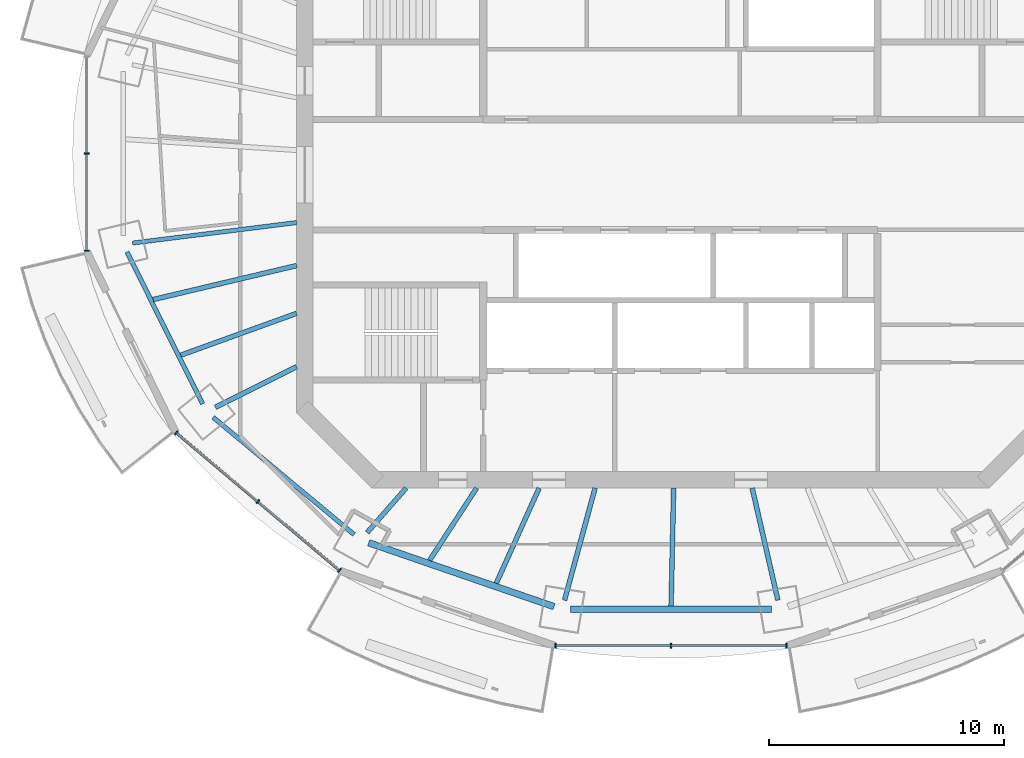
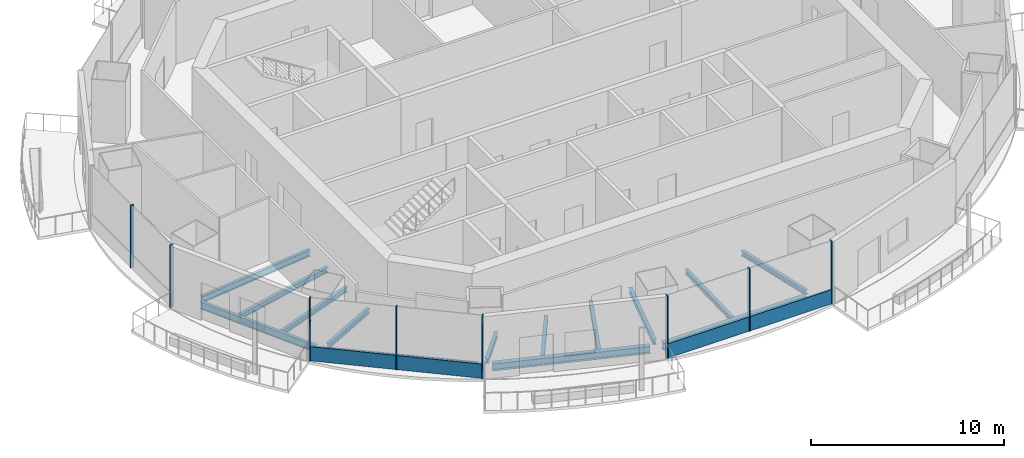
# One storey, part 2 of 15: 14 beams, 10 members, 3 elements without a shape of their own.
"""IFC4 building model written with IfcOpenShell, lengths in metres."""

from ifc_helpers import new_model, si_unit, direction, frame, origin, origin_2d, place, context, subcontext, project, spatial, rectangle, i_section, extrude, material, material_profile, profile_set, type_object, element, aggregate, save


model = new_model("IFC4")

# Units and contexts
model_context = context("Model", 3, precision=1e-05, world=origin(), true_north=direction((0.0, 1.0)))
body_context = subcontext(model_context, "Body", "Model", "MODEL_VIEW")
ifc_project = project(units=[si_unit("LENGTHUNIT", "METRE"), si_unit("AREAUNIT", "SQUARE_METRE"), si_unit("VOLUMEUNIT", "CUBIC_METRE"), si_unit("PLANEANGLEUNIT", "RADIAN"), si_unit("MASSUNIT", "GRAM", prefix="KILO")], contexts=[model_context])

# Site, building, storey
site_placement = place(None, origin())
site = spatial("IfcSite", under=ifc_project, at=site_placement, CompositionType="ELEMENT")
building_placement = place(site_placement, origin())
building = spatial("IfcBuilding", under=site, at=building_placement, Name="Marenthal Gate Tower", CompositionType="ELEMENT")
storey_placement = place(building_placement, frame((0.0, 0.0, 388.25)))
storey = spatial("IfcBuildingStorey", under=building, at=storey_placement, Name="L88", CompositionType="ELEMENT", Elevation=388.25)

# Curtain wall, members
ifc_material_1 = material(Name="Aluminium and glass", Category="aluminium")
curtain_wall_type = type_object("IfcCurtainWallType", Name="Curtain wall typical high", PredefinedType="NOTDEFINED", material=ifc_material_1)
curtain_wall_1_placement = place(storey_placement, origin())
curtain_wall_1 = element("IfcCurtainWall", 1, at=curtain_wall_1_placement, inside=storey, type_object=curtain_wall_type, Name="Curtain wall L88 bay 8", PredefinedType="NOTDEFINED")
ifc_material_2 = material(Name="Aluminium", Category="aluminium")
ifc_material_profile_1 = material_profile(ifc_material_2, rectangle(XDim=0.199951171875, YDim=0.06005859375, at=origin_2d()), Name="60x200 aluminium mullion")
ifc_profile_set_1 = profile_set([ifc_material_profile_1], Name="Aluminium")
member_type_1 = type_object("IfcMemberType", Name="Mullion 60x200 typical high", PredefinedType="MULLION", material=ifc_profile_set_1)
member_1_placement = place(storey_placement, frame((-25.292236328125, 0.89990234375, 0.0), z_axis=(0.0, 0.0, 1.0), x_axis=(1.0, 0.0, 0.0)))
member_1 = element("IfcMember", 2, at=member_1_placement, type_object=member_type_1, Name="Mullion L88 bay 8.2", PredefinedType="MULLION", context=body_context, shape_type="SweptSolid", body=[
    extrude(rectangle(XDim=0.199951171875, YDim=0.06005859375, at=origin_2d()), origin(), (0.0, 0.0, 1.0), 3.969970703125),
])
member_2_placement = place(storey_placement, frame((-25.292236328125, -3.240966796875, 0.0), z_axis=(0.0, 0.0, 1.0), x_axis=(1.0, 0.0, 0.0)))
member_2 = element("IfcMember", 3, at=member_2_placement, type_object=member_type_1, Name="Mullion L88 bay 8.3", PredefinedType="MULLION", context=body_context, shape_type="SweptSolid", body=[
    extrude(rectangle(XDim=0.199951171875, YDim=0.06005859375, at=origin_2d()), origin(), (0.0, 0.0, 1.0), 3.969970703125),
])
aggregate(curtain_wall_1, [member_1, member_2])

curtain_wall_2_placement = place(storey_placement, origin())
curtain_wall_2 = element("IfcCurtainWall", 4, at=curtain_wall_2_placement, inside=storey, type_object=curtain_wall_type, Name="Curtain wall L88 bay 10", PredefinedType="NOTDEFINED")
member_3_placement = place(storey_placement, frame((-21.479736328125, -10.997314453125, 0.0), z_axis=(0.0, 0.0, 1.0), x_axis=(0.644265226944, 0.764802142616, 0.0)))
member_3 = element("IfcMember", 5, at=member_3_placement, type_object=member_type_1, Name="Mullion L88 bay 10.1", PredefinedType="MULLION", context=body_context, shape_type="SweptSolid", body=[
    extrude(rectangle(XDim=0.199951171875, YDim=0.06005859375, at=origin_2d()), origin(), (0.0, 0.0, 1.0), 3.969970703125),
])
member_4_placement = place(storey_placement, frame((-18.00146484375, -13.927490234375, 0.0), z_axis=(0.0, 0.0, 1.0), x_axis=(0.644265226944, 0.764802142616, 0.0)))
member_4 = element("IfcMember", 6, at=member_4_placement, type_object=member_type_1, Name="Mullion L88 bay 10.2", PredefinedType="MULLION", context=body_context, shape_type="SweptSolid", body=[
    extrude(rectangle(XDim=0.199951171875, YDim=0.06005859375, at=origin_2d()), origin(), (0.0, 0.0, 1.0), 3.969970703125),
])
member_5_placement = place(storey_placement, frame((-14.5234375, -16.857421875, 0.0), z_axis=(0.0, 0.0, 1.0), x_axis=(0.644265226944, 0.764802142616, 0.0)))
member_5 = element("IfcMember", 7, at=member_5_placement, type_object=member_type_1, Name="Mullion L88 bay 10.3", PredefinedType="MULLION", context=body_context, shape_type="SweptSolid", body=[
    extrude(rectangle(XDim=0.199951171875, YDim=0.06005859375, at=origin_2d()), origin(), (0.0, 0.0, 1.0), 3.969970703125),
])

curtain_wall_3_placement = place(storey_placement, origin())
curtain_wall_3 = element("IfcCurtainWall", 8, at=curtain_wall_3_placement, inside=storey, type_object=curtain_wall_type, Name="Curtain wall L88 bay 12", PredefinedType="NOTDEFINED")
member_6_placement = place(storey_placement, frame((-5.3212890625, -20.069091796875, 0.0), z_axis=(0.0, 0.0, 1.0), x_axis=(0.0, 1.0, 0.0)))
member_6 = element("IfcMember", 9, at=member_6_placement, type_object=member_type_1, Name="Mullion L88 bay 12.1", PredefinedType="MULLION", context=body_context, shape_type="SweptSolid", body=[
    extrude(rectangle(XDim=0.199951171875, YDim=0.06005859375, at=origin_2d()), origin(), (0.0, 0.0, 1.0), 3.969970703125),
])
member_7_placement = place(storey_placement, frame((-0.39990234375, -20.069091796875, 0.0), z_axis=(0.0, 0.0, 1.0), x_axis=(0.0, 1.0, 0.0)))
member_7 = element("IfcMember", 10, at=member_7_placement, type_object=member_type_1, Name="Mullion L88 bay 12.2", PredefinedType="MULLION", context=body_context, shape_type="SweptSolid", body=[
    extrude(rectangle(XDim=0.199951171875, YDim=0.06005859375, at=origin_2d()), origin(), (0.0, 0.0, 1.0), 3.969970703125),
])
member_8_placement = place(storey_placement, frame((4.521484375, -20.069091796875, 0.0), z_axis=(0.0, 0.0, 1.0), x_axis=(0.0, 1.0, 0.0)))
member_8 = element("IfcMember", 11, at=member_8_placement, type_object=member_type_1, Name="Mullion L88 bay 12.3", PredefinedType="MULLION", context=body_context, shape_type="SweptSolid", body=[
    extrude(rectangle(XDim=0.199951171875, YDim=0.06005859375, at=origin_2d()), origin(), (0.0, 0.0, 1.0), 3.969970703125),
])

# Member
ifc_material_3 = material(Name="Aluminium", Category="aluminium")
ifc_material_profile_2 = material_profile(ifc_material_3, rectangle(XDim=0.1201171875, YDim=0.89990234375, at=origin_2d()), Name="120x900 aluminium transom")
ifc_profile_set_2 = profile_set([ifc_material_profile_2], Name="Aluminium")
member_type_2 = type_object("IfcMemberType", Name="Transom 120x900 typical high", PredefinedType="USERDEFINED", material=ifc_profile_set_2)
member_9_placement = place(storey_placement, frame((-21.456787109375, -11.016845703125, 0.449951171875), z_axis=(0.764801880801, -0.644265537743, 0.0), x_axis=(0.644265537743, 0.764801880801, 0.0)))
member_9 = element("IfcMember", 12, at=member_9_placement, type_object=member_type_2, Name="Transom L88 bay 10", ObjectType="TRANSOM", PredefinedType="USERDEFINED", context=body_context, shape_type="SweptSolid", body=[
    extrude(rectangle(XDim=0.1201171875, YDim=0.89990234375, at=origin_2d()), origin(), (0.0, 0.0, 1.0), 9.03564453125),
])

aggregate(curtain_wall_2, [member_3, member_4, member_5, member_9])

member_10_placement = place(storey_placement, frame((-5.29150390625, -20.069091796875, 0.449951171875), z_axis=(1.0, 0.0, 0.0), x_axis=(0.0, 1.0, 0.0)))
member_10 = element("IfcMember", 13, at=member_10_placement, type_object=member_type_2, Name="Transom L88 bay 12", ObjectType="TRANSOM", PredefinedType="USERDEFINED", context=body_context, shape_type="SweptSolid", body=[
    extrude(rectangle(XDim=0.1201171875, YDim=0.89990234375, at=origin_2d()), origin(), (0.0, 0.0, 1.0), 9.782958984375),
])

aggregate(curtain_wall_3, [member_6, member_7, member_8, member_10])

# Beams
ifc_material_4 = material(Name="Steel S355", Category="steel")
ifc_material_profile_3 = material_profile(ifc_material_4, i_section(OverallWidth=0.202880859375, OverallDepth=0.302001953125, WebThickness=0.007568359375, FlangeThickness=0.01318359375, FilletRadius=0.0126953125, at=origin_2d()), Name="W310X60")
ifc_profile_set_3 = profile_set([ifc_material_profile_3], Name="Steel S355")
beam_type_1 = type_object("IfcBeamType", Name="W310X60 beam", PredefinedType="BEAM", material=ifc_profile_set_3)
beam_1_placement = place(storey_placement, frame((-21.283203125, -7.6884765625, -0.3310546875), z_axis=(0.940518373063, 0.339742829109, 0.0), x_axis=(-0.339742829109, 0.940518373063, 0.0)))
element("IfcBeam", 14, at=beam_1_placement, inside=storey, type_object=beam_type_1, Name="BM-L88-29", PredefinedType="BEAM", context=body_context, shape_type="SweptSolid", body=[
    extrude(i_section(OverallWidth=0.202880859375, OverallDepth=0.302001953125, WebThickness=0.007568359375, FlangeThickness=0.01318359375, FilletRadius=0.0126953125, at=origin_2d()), origin(), (0.0, 0.0, 1.0), 5.2451171875),
])
beam_2_placement = place(storey_placement, frame((-10.684326171875, -16.427978515625, -0.3310546875), z_axis=(0.545196351283, 0.838308379147, 0.0), x_axis=(-0.838308379147, 0.545196351283, 0.0)))
element("IfcBeam", 15, at=beam_2_placement, inside=storey, type_object=beam_type_1, Name="BM-L88-30", PredefinedType="BEAM", context=body_context, shape_type="SweptSolid", body=[
    extrude(i_section(OverallWidth=0.202880859375, OverallDepth=0.302001953125, WebThickness=0.007568359375, FlangeThickness=0.01318359375, FilletRadius=0.0126953125, at=origin_2d()), origin(), (0.0, 0.0, 1.0), 3.671630859375),
])
beam_3_placement = place(storey_placement, frame((-7.845458984375, -17.40625, -0.3310546875), z_axis=(0.410944126678, 0.91166053153, 0.0), x_axis=(-0.91166053153, 0.410944126678, 0.0)))
element("IfcBeam", 16, at=beam_3_placement, inside=storey, type_object=beam_type_1, Name="BM-L88-31", PredefinedType="BEAM", context=body_context, shape_type="SweptSolid", body=[
    extrude(i_section(OverallWidth=0.202880859375, OverallDepth=0.302001953125, WebThickness=0.007568359375, FlangeThickness=0.01318359375, FilletRadius=0.0126953125, at=origin_2d()), origin(), (0.0, 0.0, 1.0), 4.44921875),
])
beam_4_placement = place(storey_placement, frame((-0.39697265625, -18.3798828125, -0.3310546875), z_axis=(0.021594807698, 0.99976680495, 0.0), x_axis=(-0.99976680495, 0.021594807698, 0.0)))
element("IfcBeam", 17, at=beam_4_placement, inside=storey, type_object=beam_type_1, Name="BM-L88-32", PredefinedType="BEAM", context=body_context, shape_type="SweptSolid", body=[
    extrude(i_section(OverallWidth=0.202880859375, OverallDepth=0.302001953125, WebThickness=0.007568359375, FlangeThickness=0.01318359375, FilletRadius=0.0126953125, at=origin_2d()), origin(), (0.0, 0.0, 1.0), 5.031005859375),
])
ifc_material_5 = material(Name="Steel S355", Category="steel")
ifc_material_profile_4 = material_profile(ifc_material_5, i_section(OverallWidth=0.205078125, OverallDepth=0.31005859375, WebThickness=0.009521484375, FlangeThickness=0.016357421875, FilletRadius=0.0126953125, at=origin_2d()), Name="W310X74")
ifc_profile_set_4 = profile_set([ifc_material_profile_4], Name="Steel S355")
beam_type_2 = type_object("IfcBeamType", Name="W310X74 beam", PredefinedType="BEAM", material=ifc_profile_set_4)
beam_5_placement = place(storey_placement, frame((-19.812744140625, -9.912109375, -0.3349609375), z_axis=(0.894313662611, 0.447440580264, 0.0), x_axis=(-0.447440580264, 0.894313662611, 0.0)))
element("IfcBeam", 18, at=beam_5_placement, inside=storey, type_object=beam_type_2, Name="BM-L88-10", PredefinedType="BEAM", context=body_context, shape_type="SweptSolid", body=[
    extrude(i_section(OverallWidth=0.205078125, OverallDepth=0.31005859375, WebThickness=0.009521484375, FlangeThickness=0.016357421875, FilletRadius=0.0126953125, at=origin_2d()), origin(), (0.0, 0.0, 1.0), 3.871826171875),
])
beam_6_placement = place(storey_placement, frame((-13.345703125, -15.24658203125, -0.3349609375), z_axis=(0.658724007976, 0.752384663132, 0.0), x_axis=(-0.752384663132, 0.658724007976, 0.0)))
element("IfcBeam", 19, at=beam_6_placement, inside=storey, type_object=beam_type_2, Name="BM-L88-11", PredefinedType="BEAM", context=body_context, shape_type="SweptSolid", body=[
    extrude(i_section(OverallWidth=0.205078125, OverallDepth=0.31005859375, WebThickness=0.009521484375, FlangeThickness=0.016357421875, FilletRadius=0.0126953125, at=origin_2d()), origin(), (0.0, 0.0, 1.0), 2.520751953125),
])
beam_7_placement = place(storey_placement, frame((-4.936767578125, -18.12890625, -0.3349609375), z_axis=(0.262733655063, 0.964868398538, 0.0), x_axis=(-0.964868398538, 0.262733655063, 0.0)))
element("IfcBeam", 20, at=beam_7_placement, inside=storey, type_object=beam_type_2, Name="BM-L88-12", PredefinedType="BEAM", context=body_context, shape_type="SweptSolid", body=[
    extrude(i_section(OverallWidth=0.205078125, OverallDepth=0.31005859375, WebThickness=0.009521484375, FlangeThickness=0.016357421875, FilletRadius=0.0126953125, at=origin_2d()), origin(), (0.0, 0.0, 1.0), 4.952880859375),
])
beam_8_placement = place(storey_placement, frame((4.1533203125, -18.1279296875, -0.3349609375), z_axis=(-0.223338692396, 0.974740903255, 0.0), x_axis=(-0.974740903255, -0.223338692396, 0.0)))
element("IfcBeam", 21, at=beam_8_placement, inside=storey, type_object=beam_type_2, Name="BM-L88-13", PredefinedType="BEAM", context=body_context, shape_type="SweptSolid", body=[
    extrude(i_section(OverallWidth=0.205078125, OverallDepth=0.31005859375, WebThickness=0.009521484375, FlangeThickness=0.016357421875, FilletRadius=0.0126953125, at=origin_2d()), origin(), (0.0, 0.0, 1.0), 4.901611328125),
])
beam_9_placement = place(storey_placement, frame((-22.462646484375, -5.3193359375, -0.3349609375), z_axis=(0.973087397589, 0.230436361397, 0.0), x_axis=(-0.230436361397, 0.973087397589, 0.0)))
element("IfcBeam", 22, at=beam_9_placement, inside=storey, type_object=beam_type_2, Name="BM-L88-28", PredefinedType="BEAM", context=body_context, shape_type="SweptSolid", body=[
    extrude(i_section(OverallWidth=0.205078125, OverallDepth=0.31005859375, WebThickness=0.009521484375, FlangeThickness=0.016357421875, FilletRadius=0.0126953125, at=origin_2d()), origin(), (0.0, 0.0, 1.0), 6.281494140625),
])
ifc_material_6 = material(Name="Steel S355", Category="steel")
ifc_material_profile_5 = material_profile(ifc_material_6, i_section(OverallWidth=0.180908203125, OverallDepth=0.4169921875, WebThickness=0.010986328125, FlangeThickness=0.018310546875, FilletRadius=0.01025390625, at=origin_2d()), Name="W410X85")
ifc_profile_set_5 = profile_set([ifc_material_profile_5], Name="Steel S355")
beam_type_3 = type_object("IfcBeamType", Name="W410X85 beam", PredefinedType="BEAM", material=ifc_profile_set_5)
beam_10_placement = place(storey_placement, frame((-23.34033203125, -2.91259765625, -0.388427734375), z_axis=(0.992303448561, 0.123829988185, 0.0), x_axis=(-0.123829988185, 0.992303448561, 0.0)))
element("IfcBeam", 23, at=beam_10_placement, inside=storey, type_object=beam_type_3, Name="BM-L88-09", PredefinedType="BEAM", context=body_context, shape_type="SweptSolid", body=[
    extrude(i_section(OverallWidth=0.180908203125, OverallDepth=0.4169921875, WebThickness=0.010986328125, FlangeThickness=0.018310546875, FilletRadius=0.01025390625, at=origin_2d()), origin(), (0.0, 0.0, 1.0), 7.04443359375),
])
ifc_material_7 = material(Name="Steel S355", Category="steel")
ifc_material_profile_6 = material_profile(ifc_material_7, i_section(OverallWidth=0.279052734375, OverallDepth=0.4619140625, WebThickness=0.0107421875, FlangeThickness=0.017333984375, FilletRadius=0.010009765625, at=origin_2d()), Name="W460X113")
ifc_profile_set_6 = profile_set([ifc_material_profile_6], Name="Steel S355")
beam_type_4 = type_object("IfcBeamType", Name="W460X113 beam", PredefinedType="BEAM", material=ifc_profile_set_6)
beam_11_placement = place(storey_placement, frame((-13.279052734375, -15.681396484375, -0.410888671875), z_axis=(0.94543573541, -0.325808640478, 0.0), x_axis=(0.325808640478, 0.94543573541, 0.0)))
element("IfcBeam", 24, at=beam_11_placement, inside=storey, type_object=beam_type_4, Name="BM-L88-48", PredefinedType="BEAM", context=body_context, shape_type="SweptSolid", body=[
    extrude(i_section(OverallWidth=0.279052734375, OverallDepth=0.4619140625, WebThickness=0.0107421875, FlangeThickness=0.017333984375, FilletRadius=0.010009765625, at=origin_2d()), origin(), (0.0, 0.0, 1.0), 8.34912109375),
])
beam_12_placement = place(storey_placement, frame((-4.681396484375, -18.51953125, -0.410888671875), z_axis=(1.0, 0.0, 0.0), x_axis=(0.0, 1.0, 0.0)))
element("IfcBeam", 25, at=beam_12_placement, inside=storey, type_object=beam_type_4, Name="BM-L88-49", PredefinedType="BEAM", context=body_context, shape_type="SweptSolid", body=[
    extrude(i_section(OverallWidth=0.279052734375, OverallDepth=0.4619140625, WebThickness=0.0107421875, FlangeThickness=0.017333984375, FilletRadius=0.010009765625, at=origin_2d()), origin(), (0.0, 0.0, 1.0), 8.56298828125),
])
ifc_material_8 = material(Name="Steel S355", Category="steel")
ifc_material_profile_7 = material_profile(ifc_material_8, i_section(OverallWidth=0.19091796875, OverallDepth=0.45703125, WebThickness=0.009033203125, FlangeThickness=0.014404296875, FilletRadius=0.01025390625, at=origin_2d()), Name="W460X74")
ifc_profile_set_7 = profile_set([ifc_material_profile_7], Name="Steel S355")
beam_type_5 = type_object("IfcBeamType", Name="W460X74 beam", PredefinedType="BEAM", material=ifc_profile_set_7)
beam_13_placement = place(storey_placement, frame((-23.57666015625, -3.296142578125, -0.408447265625), z_axis=(0.445686804831, -0.895188958824, 0.0), x_axis=(0.895188958824, 0.445686804831, 0.0)))
element("IfcBeam", 26, at=beam_13_placement, inside=storey, type_object=beam_type_5, Name="BM-L88-46", PredefinedType="BEAM", context=body_context, shape_type="SweptSolid", body=[
    extrude(i_section(OverallWidth=0.19091796875, OverallDepth=0.45703125, WebThickness=0.009033203125, FlangeThickness=0.014404296875, FilletRadius=0.01025390625, at=origin_2d()), origin(), (0.0, 0.0, 1.0), 7.230712890625),
])
beam_14_placement = place(storey_placement, frame((-19.906494140625, -10.335205078125, -0.408447265625), z_axis=(0.76874123216, -0.63955994088, 0.0), x_axis=(0.63955994088, 0.76874123216, 0.0)))
element("IfcBeam", 27, at=beam_14_placement, inside=storey, type_object=beam_type_5, Name="BM-L88-47", PredefinedType="BEAM", context=body_context, shape_type="SweptSolid", body=[
    extrude(i_section(OverallWidth=0.19091796875, OverallDepth=0.45703125, WebThickness=0.009033203125, FlangeThickness=0.014404296875, FilletRadius=0.01025390625, at=origin_2d()), origin(), (0.0, 0.0, 1.0), 7.80908203125),
])

save(model, "model.ifc")
